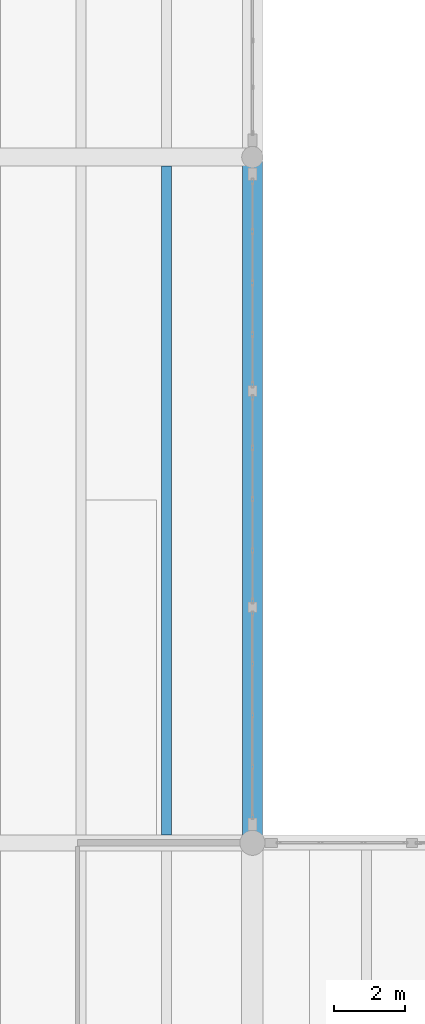
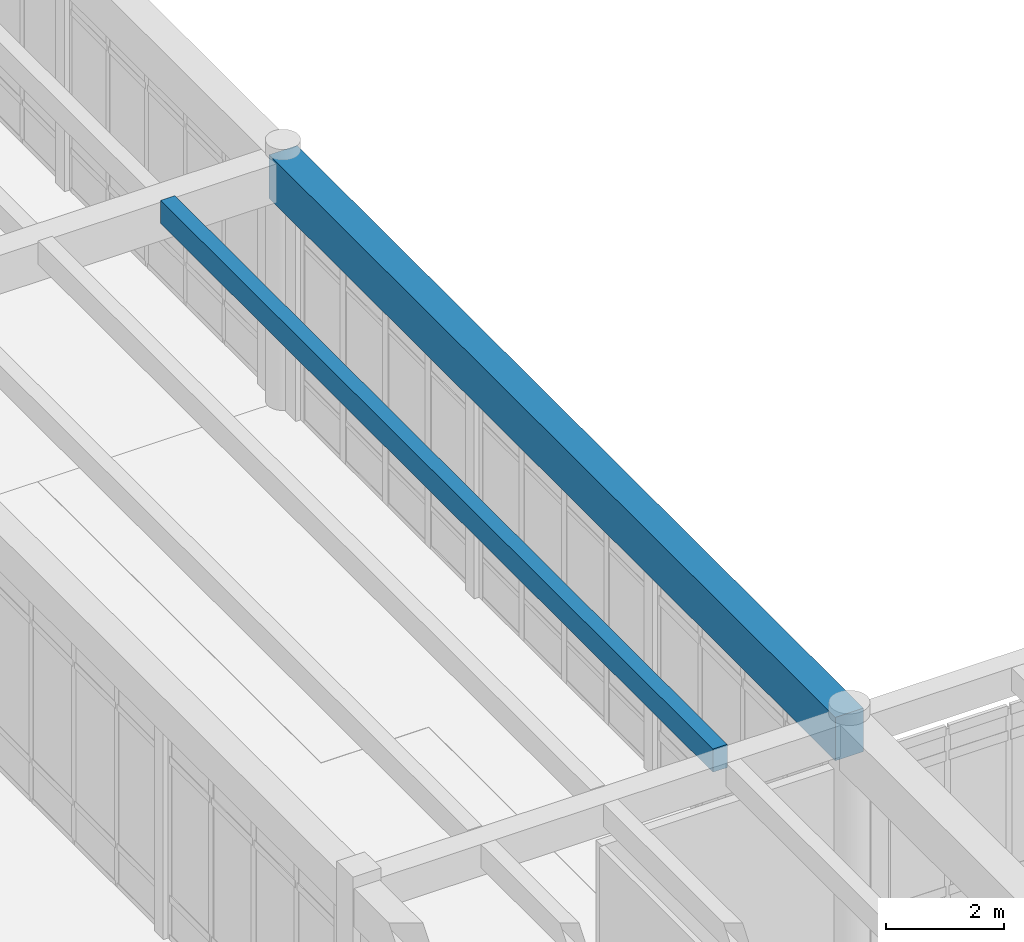
# One storey, part 80 of 138: 2 beams.
"""IFC4 building model written with IfcOpenShell, lengths in metres."""

from ifc_helpers import new_model, si_unit, direction, frame, origin, origin_2d, place, context, subcontext, project, spatial, rectangle, extrude, material, material_profile, profile_set, type_object, element, save


model = new_model("IFC4")

# Units and contexts
model_context = context("Model", 3, precision=1e-05, world=origin(), true_north=direction((0.0, 1.0)))
body_context = subcontext(model_context, "Body", "Model", "MODEL_VIEW")
ifc_project = project(units=[si_unit("LENGTHUNIT", "METRE"), si_unit("AREAUNIT", "SQUARE_METRE"), si_unit("VOLUMEUNIT", "CUBIC_METRE"), si_unit("PLANEANGLEUNIT", "RADIAN"), si_unit("MASSUNIT", "GRAM", prefix="KILO")], contexts=[model_context])

# Site, building, storey
site_placement = place(None, origin())
site = spatial("IfcSite", under=ifc_project, at=site_placement, CompositionType="ELEMENT")
building_placement = place(site_placement, origin())
building = spatial("IfcBuilding", under=site, at=building_placement, Name="Fikremerkos Civic Library", CompositionType="ELEMENT")
storey_placement = place(building_placement, origin())
storey = spatial("IfcBuildingStorey", under=building, at=storey_placement, Name="L00", CompositionType="ELEMENT", Elevation=0.0)

# Beams
ifc_material = material(Name="Concrete C40/50", Category="concrete")
ifc_material_profile_1 = material_profile(ifc_material, rectangle(XDim=0.280029296875, YDim=0.47998046875, at=origin_2d()), Name="RC 280x480")
ifc_profile_set_1 = profile_set([ifc_material_profile_1], Name="Concrete C40/50")
beam_type_1 = type_object("IfcBeamType", Name="Floor joist JS-04 RC 280x480", PredefinedType="JOIST", material=ifc_profile_set_1)
beam_1_placement = place(storey_placement, frame((132.0, 77.02490234375, 4.93994140625), z_axis=(0.0, 1.0, 0.0), x_axis=(-1.0, 0.0, 0.0)))
element("IfcBeam", 1, at=beam_1_placement, inside=storey, type_object=beam_type_1, Name="Floor joist JS-04 L00 #369", PredefinedType="JOIST", context=body_context, shape_type="SweptSolid", body=[
    extrude(rectangle(XDim=0.280029296875, YDim=0.47998046875, at=origin_2d()), origin(), (0.0, 0.0, 1.0), 18.72509765625),
])
ifc_material_profile_2 = material_profile(ifc_material, rectangle(XDim=0.550048828125, YDim=0.89990234375, at=origin_2d()), Name="RC 550x900")
ifc_profile_set_2 = profile_set([ifc_material_profile_2], Name="Concrete C40/50")
beam_type_2 = type_object("IfcBeamType", Name="Primary girder BM-02 RC 550x900", PredefinedType="BEAM", material=ifc_profile_set_2)
beam_2_placement = place(storey_placement, frame((134.39990234375, 76.800048828125, 4.72998046875), z_axis=(0.0, 1.0, 0.0), x_axis=(-1.0, 0.0, 0.0)))
element("IfcBeam", 2, at=beam_2_placement, inside=storey, type_object=beam_type_2, Name="Primary girder BM-02 L00 grid 12", PredefinedType="BEAM", context=body_context, shape_type="SweptSolid", body=[
    extrude(rectangle(XDim=0.550048828125, YDim=0.89990234375, at=origin_2d()), origin(), (0.0, 0.0, 1.0), 19.199951171875),
])

save(model, "model.ifc")
